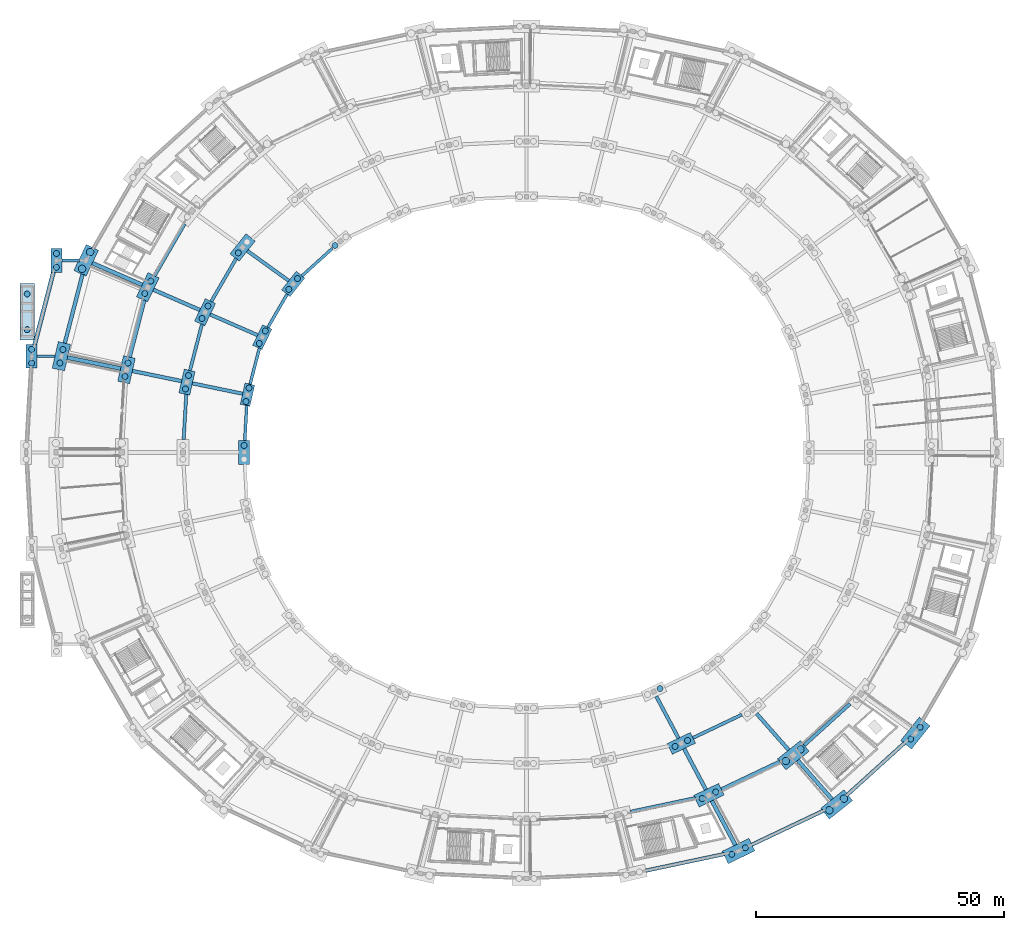
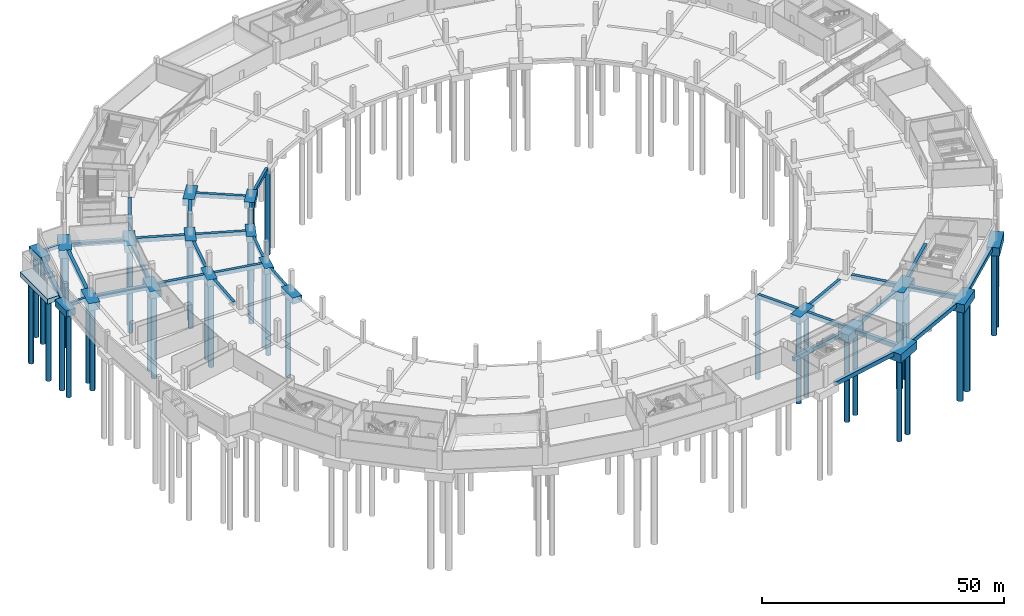
# One storey, part 3 of 49: 52 footings, 40 piles.
"""IFC4 building model written with IfcOpenShell, lengths in metres."""

from ifc_helpers import new_model, si_unit, direction, frame, origin, origin_2d, place, context, subcontext, project, spatial, rectangle, circle, extrude, material, material_profile, profile_set, type_object, element, save


model = new_model("IFC4")

# Units and contexts
model_context = context("Model", 3, precision=1e-05, world=origin(), true_north=direction((0.0, 1.0)))
body_context = subcontext(model_context, "Body", "Model", "MODEL_VIEW")
ifc_project = project(units=[si_unit("LENGTHUNIT", "METRE"), si_unit("AREAUNIT", "SQUARE_METRE"), si_unit("VOLUMEUNIT", "CUBIC_METRE"), si_unit("PLANEANGLEUNIT", "RADIAN"), si_unit("MASSUNIT", "GRAM", prefix="KILO")], contexts=[model_context])

# Site, building, storey
site_placement = place(None, origin())
site = spatial("IfcSite", under=ifc_project, at=site_placement, CompositionType="ELEMENT")
building_placement = place(site_placement, origin())
building = spatial("IfcBuilding", under=site, at=building_placement, Name="Kazemori Nagisa Stadium", CompositionType="ELEMENT")
storey_placement = place(building_placement, frame((0.0, 0.0, -5.43994140625)))
storey = spatial("IfcBuildingStorey", under=building, at=storey_placement, Name="B1", CompositionType="ELEMENT", Elevation=-5.43994140625)

# Footings
ifc_material_1 = material(Name="Concrete C40/50 (Fc42)", Category="concrete")
ifc_material_profile_1 = material_profile(ifc_material_1, rectangle(XDim=0.60009765625, YDim=0.89990234375, at=origin_2d()), Name="RC-FB-600x900")
ifc_profile_set_1 = profile_set([ifc_material_profile_1], Name="Concrete C40/50 (Fc42)")
footing_type_1 = type_object("IfcFootingType", Name="FootingBeam_FB-01", PredefinedType="FOOTING_BEAM", material=ifc_profile_set_1)
footing_1_placement = place(storey_placement, frame((83.824951171875, 143.17236328125, -0.449951171875), z_axis=(-0.741344256171, -0.671124946521, 0.0), x_axis=(0.671124946521, -0.741344256171, 0.0)))
element("IfcFooting", 1, at=footing_1_placement, inside=storey, type_object=footing_type_1, Name="Footing tie beam FB-01 R0-11", PredefinedType="FOOTING_BEAM", context=body_context, shape_type="SweptSolid", body=[
    extrude(rectangle(XDim=0.60009765625, YDim=0.89990234375, at=origin_2d()), origin(), (0.0, 0.0, 1.0), 8.30615234375),
])
footing_2_placement = place(storey_placement, frame((74.708984375, 133.941650390625, -0.449951171875), z_axis=(-0.501616011375, -0.865090386683, 0.0), x_axis=(0.865090386683, -0.501616011375, 0.0)))
element("IfcFooting", 2, at=footing_2_placement, inside=storey, type_object=footing_type_1, Name="Footing tie beam FB-01 R0-12", PredefinedType="FOOTING_BEAM", context=body_context, shape_type="SweptSolid", body=[
    extrude(rectangle(XDim=0.60009765625, YDim=0.89990234375, at=origin_2d()), origin(), (0.0, 0.0, 1.0), 7.767333984375),
])
footing_3_placement = place(storey_placement, frame((69.09912109375, 123.0419921875, -0.449951171875), z_axis=(-0.249957428729, -0.968256827408, 0.0), x_axis=(0.968256827408, -0.249957428729, 0.0)))
element("IfcFooting", 3, at=footing_3_placement, inside=storey, type_object=footing_type_1, Name="Footing tie beam FB-01 R0-13", PredefinedType="FOOTING_BEAM", context=body_context, shape_type="SweptSolid", body=[
    extrude(rectangle(XDim=0.60009765625, YDim=0.89990234375, at=origin_2d()), origin(), (0.0, 0.0, 1.0), 7.531494140625),
])
footing_4_placement = place(storey_placement, frame((66.5458984375, 111.462158203125, -0.449951171875), z_axis=(-0.057578734925, -0.998340968449, 0.0), x_axis=(0.998340968449, -0.057578734925, 0.0)))
element("IfcFooting", 4, at=footing_4_placement, inside=storey, type_object=footing_type_1, Name="Footing tie beam FB-01 R0-14", PredefinedType="FOOTING_BEAM", context=body_context, shape_type="SweptSolid", body=[
    extrude(rectangle(XDim=0.60009765625, YDim=0.89990234375, at=origin_2d()), origin(), (0.0, 0.0, 1.0), 7.097900390625),
])
ifc_material_profile_2 = material_profile(ifc_material_1, rectangle(XDim=0.64990234375, YDim=0.949951171875, at=origin_2d()), Name="RC-FB-650x950")
ifc_profile_set_2 = profile_set([ifc_material_profile_2], Name="Concrete C40/50 (Fc42)")
footing_type_2 = type_object("IfcFootingType", Name="FootingBeam_FB-02", PredefinedType="FOOTING_BEAM", material=ifc_profile_set_2)
footing_5_placement = place(storey_placement, frame((64.404296875, 141.135498046875, -0.47509765625), z_axis=(-0.501622568571, -0.865086584511, 0.0), x_axis=(0.865086584511, -0.501622568571, 0.0)))
element("IfcFooting", 5, at=footing_5_placement, inside=storey, type_object=footing_type_2, Name="Footing tie beam FB-02 R1-12", PredefinedType="FOOTING_BEAM", context=body_context, shape_type="SweptSolid", body=[
    extrude(rectangle(XDim=0.64990234375, YDim=0.949951171875, at=origin_2d()), origin(), (0.0, 0.0, 1.0), 10.06005859375),
])
footing_6_placement = place(storey_placement, frame((57.494140625, 127.885986328125, -0.47509765625), z_axis=(-0.249964211951, -0.968255076281, 0.0), x_axis=(0.968255076281, -0.249964211951, 0.0)))
element("IfcFooting", 6, at=footing_6_placement, inside=storey, type_object=footing_type_2, Name="Footing tie beam FB-02 R1-13", PredefinedType="FOOTING_BEAM", context=body_context, shape_type="SweptSolid", body=[
    extrude(rectangle(XDim=0.64990234375, YDim=0.949951171875, at=origin_2d()), origin(), (0.0, 0.0, 1.0), 9.68017578125),
])
footing_7_placement = place(storey_placement, frame((54.3271484375, 113.734375, -0.47509765625), z_axis=(-0.057615918119, -0.998338823236, 0.0), x_axis=(0.998338823236, -0.057615918119, 0.0)))
element("IfcFooting", 7, at=footing_7_placement, inside=storey, type_object=footing_type_2, Name="Footing tie beam FB-02 R1-14", PredefinedType="FOOTING_BEAM", context=body_context, shape_type="SweptSolid", body=[
    extrude(rectangle(XDim=0.64990234375, YDim=0.949951171875, at=origin_2d()), origin(), (0.0, 0.0, 1.0), 9.173828125),
])
footing_8_placement = place(storey_placement, frame((156.57763671875, 44.368408203125, -0.47509765625), z_axis=(0.903220400465, 0.429177012647, 0.0), x_axis=(-0.429177012647, 0.903220400465, 0.0)))
element("IfcFooting", 8, at=footing_8_placement, inside=storey, type_object=footing_type_2, Name="Footing tie beam FB-02 R1-24", PredefinedType="FOOTING_BEAM", context=body_context, shape_type="SweptSolid", body=[
    extrude(rectangle(XDim=0.64990234375, YDim=0.949951171875, at=origin_2d()), origin(), (0.0, 0.0, 1.0), 10.9375),
])
ifc_material_profile_3 = material_profile(ifc_material_1, rectangle(XDim=0.699951171875, YDim=1.0, at=origin_2d()), Name="RC-FB-700x1000")
ifc_profile_set_3 = profile_set([ifc_material_profile_3], Name="Concrete C40/50 (Fc42)")
footing_type_3 = type_object("IfcFootingType", Name="FootingBeam_FB-03", PredefinedType="FOOTING_BEAM", material=ifc_profile_set_3)
footing_9_placement = place(storey_placement, frame((53.999267578125, 148.15625, -0.5), z_axis=(-0.501613459817, -0.86509186618, 0.0), x_axis=(0.86509186618, -0.501613459817, 0.0)))
element("IfcFooting", 9, at=footing_9_placement, inside=storey, type_object=footing_type_3, Name="Footing tie beam FB-03 R2-12", PredefinedType="FOOTING_BEAM", context=body_context, shape_type="SweptSolid", body=[
    extrude(rectangle(XDim=0.699951171875, YDim=1.0, at=origin_2d()), origin(), (0.0, 0.0, 1.0), 12.152587890625),
])
footing_10_placement = place(storey_placement, frame((45.88916015625, 132.729736328125, -0.5), z_axis=(-0.249971260419, -0.968253256625, 0.0), x_axis=(0.968253256625, -0.249971260419, 0.0)))
element("IfcFooting", 10, at=footing_10_placement, inside=storey, type_object=footing_type_3, Name="Footing tie beam FB-03 R2-13", PredefinedType="FOOTING_BEAM", context=body_context, shape_type="SweptSolid", body=[
    extrude(rectangle(XDim=0.699951171875, YDim=1.0, at=origin_2d()), origin(), (0.0, 0.0, 1.0), 11.87841796875),
])
footing_11_placement = place(storey_placement, frame((144.000732421875, 29.45556640625, -0.5), z_axis=(0.978343522038, 0.206987808543, 0.0), x_axis=(-0.206987808543, 0.978343522038, 0.0)))
element("IfcFooting", 11, at=footing_11_placement, inside=storey, type_object=footing_type_3, Name="Footing tie beam FB-03 R2-23", PredefinedType="FOOTING_BEAM", context=body_context, shape_type="SweptSolid", body=[
    extrude(rectangle(XDim=0.699951171875, YDim=1.0, at=origin_2d()), origin(), (0.0, 0.0, 1.0), 13.38134765625),
])
footing_12_placement = place(storey_placement, frame((162.322998046875, 33.993896484375, -0.5), z_axis=(0.903213685764, 0.429191143722, 0.0), x_axis=(-0.429191143722, 0.903213685764, 0.0)))
element("IfcFooting", 12, at=footing_12_placement, inside=storey, type_object=footing_type_3, Name="Footing tie beam FB-03 R2-24", PredefinedType="FOOTING_BEAM", context=body_context, shape_type="SweptSolid", body=[
    extrude(rectangle(XDim=0.699951171875, YDim=1.0, at=origin_2d()), origin(), (0.0, 0.0, 1.0), 13.086181640625),
])
footing_13_placement = place(storey_placement, frame((179.04345703125, 42.88916015625, -0.5), z_axis=(0.741353641267, 0.671114579323, 0.0), x_axis=(-0.671114579323, 0.741353641267, 0.0)))
element("IfcFooting", 13, at=footing_13_placement, inside=storey, type_object=footing_type_3, Name="Footing tie beam FB-03 R2-25", PredefinedType="FOOTING_BEAM", context=body_context, shape_type="SweptSolid", body=[
    extrude(rectangle(XDim=0.699951171875, YDim=1.0, at=origin_2d()), origin(), (0.0, 0.0, 1.0), 12.481689453125),
])
footing_14_placement = place(storey_placement, frame((75.027099609375, 136.6328125, -0.5), z_axis=(-0.810796424483, 0.585328248119, 0.0), x_axis=(-0.585328248119, -0.810796424483, 0.0)))
element("IfcFooting", 14, at=footing_14_placement, inside=storey, type_object=footing_type_3, Name="Footing tie beam FB-03 R0-R1-12", PredefinedType="FOOTING_BEAM", context=body_context, shape_type="SweptSolid", body=[
    extrude(rectangle(XDim=0.699951171875, YDim=1.0, at=origin_2d()), origin(), (0.0, 0.0, 1.0), 10.32568359375),
])
footing_15_placement = place(storey_placement, frame((68.724853515625, 125.661376953125, -0.5), z_axis=(-0.916674230134, 0.399635278483, 0.0), x_axis=(-0.399635278483, -0.916674230134, 0.0)))
element("IfcFooting", 15, at=footing_15_placement, inside=storey, type_object=footing_type_3, Name="Footing tie beam FB-03 R0-R1-13", PredefinedType="FOOTING_BEAM", context=body_context, shape_type="SweptSolid", body=[
    extrude(rectangle(XDim=0.699951171875, YDim=1.0, at=origin_2d()), origin(), (0.0, 0.0, 1.0), 10.4453125),
])
footing_16_placement = place(storey_placement, frame((65.711669921875, 113.8369140625, -0.5), z_axis=(-0.979313019238, 0.20235120546, 0.0), x_axis=(-0.20235120546, -0.979313019238, 0.0)))
element("IfcFooting", 16, at=footing_16_placement, inside=storey, type_object=footing_type_3, Name="Footing tie beam FB-03 R0-R1-14", PredefinedType="FOOTING_BEAM", context=body_context, shape_type="SweptSolid", body=[
    extrude(rectangle(XDim=0.699951171875, YDim=1.0, at=origin_2d()), origin(), (0.0, 0.0, 1.0), 10.377197265625),
])
footing_17_placement = place(storey_placement, frame((149.18994140625, 52.76806640625, -0.5), z_axis=(0.469670822848, -0.88284161556, 0.0), x_axis=(0.88284161556, 0.469670822848, 0.0)))
element("IfcFooting", 17, at=footing_17_placement, inside=storey, type_object=footing_type_3, Name="Footing tie beam FB-03 R0-R1-24", PredefinedType="FOOTING_BEAM", context=body_context, shape_type="SweptSolid", body=[
    extrude(rectangle(XDim=0.699951171875, YDim=1.0, at=origin_2d()), origin(), (0.0, 0.0, 1.0), 9.58837890625),
])
ifc_material_profile_4 = material_profile(ifc_material_1, rectangle(XDim=0.75, YDim=1.050048828125, at=origin_2d()), Name="RC-FB-750x1050")
ifc_profile_set_4 = profile_set([ifc_material_profile_4], Name="Concrete C40/50 (Fc42)")
footing_type_4 = type_object("IfcFootingType", Name="FootingBeam_FB-04", PredefinedType="FOOTING_BEAM", material=ifc_profile_set_4)
footing_18_placement = place(storey_placement, frame((33.395263671875, 137.9609375, -0.525146484375), z_axis=(-0.249976629928, -0.968251870378, 0.0), x_axis=(0.968251870378, -0.249976629928, 0.0)))
element("IfcFooting", 18, at=footing_18_placement, inside=storey, type_object=footing_type_4, Name="Footing tie beam FB-04 R3-13", PredefinedType="FOOTING_BEAM", context=body_context, shape_type="SweptSolid", body=[
    extrude(rectangle(XDim=0.75, YDim=1.050048828125, at=origin_2d()), origin(), (0.0, 0.0, 1.0), 14.37646484375),
])
footing_19_placement = place(storey_placement, frame((147.0986328125, 17.578125, -0.525146484375), z_axis=(0.978343223735, 0.206989218491, 0.0), x_axis=(-0.206989218491, 0.978343223735, 0.0)))
element("IfcFooting", 19, at=footing_19_placement, inside=storey, type_object=footing_type_4, Name="Footing tie beam FB-04 R3-23", PredefinedType="FOOTING_BEAM", context=body_context, shape_type="SweptSolid", body=[
    extrude(rectangle(XDim=0.75, YDim=1.050048828125, at=origin_2d()), origin(), (0.0, 0.0, 1.0), 16.14013671875),
])
footing_20_placement = place(storey_placement, frame((168.496337890625, 22.814697265625, -0.525146484375), z_axis=(0.903214630343, 0.42918915589, 0.0), x_axis=(-0.42918915589, 0.903214630343, 0.0)))
element("IfcFooting", 20, at=footing_20_placement, inside=storey, type_object=footing_type_4, Name="Footing tie beam FB-04 R3-24", PredefinedType="FOOTING_BEAM", context=body_context, shape_type="SweptSolid", body=[
    extrude(rectangle(XDim=0.75, YDim=1.050048828125, at=origin_2d()), origin(), (0.0, 0.0, 1.0), 15.954345703125),
])
footing_21_placement = place(storey_placement, frame((187.80712890625, 32.94091796875, -0.525146484375), z_axis=(0.741348232984, 0.671120553591, 0.0), x_axis=(-0.671120553591, 0.741348232984, 0.0)))
element("IfcFooting", 21, at=footing_21_placement, inside=storey, type_object=footing_type_4, Name="Footing tie beam FB-04 R3-25", PredefinedType="FOOTING_BEAM", context=body_context, shape_type="SweptSolid", body=[
    extrude(rectangle(XDim=0.75, YDim=1.050048828125, at=origin_2d()), origin(), (0.0, 0.0, 1.0), 15.48388671875),
])
footing_22_placement = place(storey_placement, frame((57.078125, 130.73876953125, -0.525146484375), z_axis=(-0.916679401648, 0.399623415973, 0.0), x_axis=(-0.399623415973, -0.916679401648, 0.0)))
element("IfcFooting", 22, at=footing_22_placement, inside=storey, type_object=footing_type_4, Name="Footing tie beam FB-04 R1-R2-13", PredefinedType="FOOTING_BEAM", context=body_context, shape_type="SweptSolid", body=[
    extrude(rectangle(XDim=0.75, YDim=1.050048828125, at=origin_2d()), origin(), (0.0, 0.0, 1.0), 10.245361328125),
])
footing_23_placement = place(storey_placement, frame((53.384765625, 116.3837890625, -0.525146484375), z_axis=(-0.979310240973, 0.20236465088, 0.0), x_axis=(-0.20236465088, -0.979310240973, 0.0)))
element("IfcFooting", 23, at=footing_23_placement, inside=storey, type_object=footing_type_4, Name="Footing tie beam FB-04 R1-R2-14", PredefinedType="FOOTING_BEAM", context=body_context, shape_type="SweptSolid", body=[
    extrude(rectangle(XDim=0.75, YDim=1.050048828125, at=origin_2d()), origin(), (0.0, 0.0, 1.0), 10.152099609375),
])
footing_24_placement = place(storey_placement, frame((154.8017578125, 42.21923828125, -0.525146484375), z_axis=(0.469653943971, -0.882850594898, 0.0), x_axis=(0.882850594898, 0.469653943971, 0.0)))
element("IfcFooting", 24, at=footing_24_placement, inside=storey, type_object=footing_type_4, Name="Footing tie beam FB-04 R1-R2-24", PredefinedType="FOOTING_BEAM", context=body_context, shape_type="SweptSolid", body=[
    extrude(rectangle(XDim=0.75, YDim=1.050048828125, at=origin_2d()), origin(), (0.0, 0.0, 1.0), 9.38818359375),
])
footing_25_placement = place(storey_placement, frame((169.443359375, 49.279052734375, -0.525146484375), z_axis=(0.661031544867, -0.750358112297, 0.0), x_axis=(0.750358112297, 0.661031544867, 0.0)))
element("IfcFooting", 25, at=footing_25_placement, inside=storey, type_object=footing_type_4, Name="Footing tie beam FB-04 R1-R2-25", PredefinedType="FOOTING_BEAM", context=body_context, shape_type="SweptSolid", body=[
    extrude(rectangle(XDim=0.75, YDim=1.050048828125, at=origin_2d()), origin(), (0.0, 0.0, 1.0), 9.801025390625),
])
ifc_material_profile_5 = material_profile(ifc_material_1, rectangle(XDim=0.800048828125, YDim=1.10009765625, at=origin_2d()), Name="RC-FB-800x1100")
ifc_profile_set_5 = profile_set([ifc_material_profile_5], Name="Concrete C40/50 (Fc42)")
footing_type_5 = type_object("IfcFootingType", Name="FootingBeam_FB-05", PredefinedType="FOOTING_BEAM", material=ifc_profile_set_5)
footing_26_placement = place(storey_placement, frame((45.431396484375, 135.816162109375, -0.550048828125), z_axis=(-0.916678645987, 0.399625149347, 0.0), x_axis=(-0.399625149347, -0.916678645987, 0.0)))
element("IfcFooting", 26, at=footing_26_placement, inside=storey, type_object=footing_type_5, Name="Footing tie beam FB-05 R2-R3-13", PredefinedType="FOOTING_BEAM", context=body_context, shape_type="SweptSolid", body=[
    extrude(rectangle(XDim=0.800048828125, YDim=1.10009765625, at=origin_2d()), origin(), (0.0, 0.0, 1.0), 10.989990234375),
])
footing_27_placement = place(storey_placement, frame((41.08251953125, 118.92578125, -0.550048828125), z_axis=(-0.979312654266, 0.202352971798, 0.0), x_axis=(-0.202352971798, -0.979312654266, 0.0)))
element("IfcFooting", 27, at=footing_27_placement, inside=storey, type_object=footing_type_5, Name="Footing tie beam FB-05 R2-R3-14", PredefinedType="FOOTING_BEAM", context=body_context, shape_type="SweptSolid", body=[
    extrude(rectangle(XDim=0.800048828125, YDim=1.10009765625, at=origin_2d()), origin(), (0.0, 0.0, 1.0), 10.961181640625),
])
footing_28_placement = place(storey_placement, frame((160.413330078125, 31.670654296875, -0.550048828125), z_axis=(0.469639432071, -0.882858314705, 0.0), x_axis=(0.882858314705, 0.469639432071, 0.0)))
element("IfcFooting", 28, at=footing_28_placement, inside=storey, type_object=footing_type_5, Name="Footing tie beam FB-05 R2-R3-24", PredefinedType="FOOTING_BEAM", context=body_context, shape_type="SweptSolid", body=[
    extrude(rectangle(XDim=0.800048828125, YDim=1.10009765625, at=origin_2d()), origin(), (0.0, 0.0, 1.0), 10.099609375),
])
footing_29_placement = place(storey_placement, frame((177.74658203125, 39.853759765625, -0.550048828125), z_axis=(0.661018384003, -0.750369706218, 0.0), x_axis=(0.750369706218, 0.661018384003, 0.0)))
element("IfcFooting", 29, at=footing_29_placement, inside=storey, type_object=footing_type_5, Name="Footing tie beam FB-05 R2-R3-25", PredefinedType="FOOTING_BEAM", context=body_context, shape_type="SweptSolid", body=[
    extrude(rectangle(XDim=0.800048828125, YDim=1.10009765625, at=origin_2d()), origin(), (0.0, 0.0, 1.0), 10.497802734375),
])
ifc_material_profile_6 = material_profile(ifc_material_1, rectangle(XDim=0.550048828125, YDim=0.85009765625, at=origin_2d()), Name="RC-FB-550x850")
ifc_profile_set_6 = profile_set([ifc_material_profile_6], Name="Concrete C40/50 (Fc42)")
footing_type_6 = type_object("IfcFootingType", Name="FootingBeam_FB-06", PredefinedType="FOOTING_BEAM", material=ifc_profile_set_6)
footing_30_placement = place(storey_placement, frame((32.760009765625, 140.74951171875, -0.425048828125), z_axis=(-1.0, 0.0, 0.0), x_axis=(0.0, -1.0, 0.0)))
element("IfcFooting", 30, at=footing_30_placement, inside=storey, type_object=footing_type_6, Name="Footing tie beam FB-06 R3-R4-13", PredefinedType="FOOTING_BEAM", context=body_context, shape_type="SweptSolid", body=[
    extrude(rectangle(XDim=0.550048828125, YDim=0.85009765625, at=origin_2d()), origin(), (0.0, 0.0, 1.0), 3.56494140625),
])
footing_31_placement = place(storey_placement, frame((27.8642578125, 121.397705078125, -0.425048828125), z_axis=(-1.0, 0.0, 0.0), x_axis=(0.0, -1.0, 0.0)))
element("IfcFooting", 31, at=footing_31_placement, inside=storey, type_object=footing_type_6, Name="Footing tie beam FB-06 R3-R4-14", PredefinedType="FOOTING_BEAM", context=body_context, shape_type="SweptSolid", body=[
    extrude(rectangle(XDim=0.550048828125, YDim=0.85009765625, at=origin_2d()), origin(), (0.0, 0.0, 1.0), 3.6650390625),
])
ifc_material_profile_7 = material_profile(ifc_material_1, rectangle(XDim=0.85009765625, YDim=1.14990234375, at=origin_2d()), Name="RC-FB-850x1150")
ifc_profile_set_7 = profile_set([ifc_material_profile_7], Name="Concrete C40/50 (Fc42)")
footing_type_7 = type_object("IfcFootingType", Name="FootingBeam_FB-07", PredefinedType="FOOTING_BEAM", material=ifc_profile_set_7)
footing_32_placement = place(storey_placement, frame((27.520263671875, 138.445068359375, -0.574951171875), z_axis=(-0.24997209517, -0.968253041119, 0.0), x_axis=(0.968253041119, -0.24997209517, 0.0)))
element("IfcFooting", 32, at=footing_32_placement, inside=storey, type_object=footing_type_7, Name="Footing tie beam FB-07 R4-13", PredefinedType="FOOTING_BEAM", context=body_context, shape_type="SweptSolid", body=[
    extrude(rectangle(XDim=0.85009765625, YDim=1.14990234375, at=origin_2d()), origin(), (0.0, 0.0, 1.0), 15.226318359375),
])
footing_type_8 = type_object("IfcFootingType", Name="PileCap_PC-01", PredefinedType="PILE_CAP", material=ifc_material_1)
footing_33_placement = place(storey_placement, frame((69.6689453125, 125.249755859375, -1.5), z_axis=(0.0, 0.0, 1.0), x_axis=(-0.433883739113, -0.900968867905, 0.0)))
element("IfcFooting", 33, at=footing_33_placement, inside=storey, type_object=footing_type_8, Name="Pile cap PC-01 R0-13", PredefinedType="PILE_CAP", context=body_context, shape_type="SweptSolid", body=[
    extrude(rectangle(XDim=4.60009765625, YDim=2.10009765625, at=origin_2d()), origin(), (0.0, 0.0, 1.0), 1.5),
])
footing_type_9 = type_object("IfcFootingType", Name="PileCap_PC-02", PredefinedType="PILE_CAP", material=ifc_material_1)
for number, where, z_axis, x_axis, name in (
    (34, (75.90283203125, 136.00048828125, -1.60009765625), (0.0, 0.0, 1.0), (-0.623489801853, -0.781831482473, 0.0), "Pile cap PC-02 R0-12"),
    (35, (66.0, 102.0, -1.60009765625), (0.0, 0.0, 1.0), (0.0, -1.0, 0.0), "Pile cap PC-02 R0-15"),
    (36, (28.114990234375, 140.74951171875, -1.60009765625), (0.0, 0.0, 1.0), (0.0, 1.0, 0.0), "Pile cap PC-02 R4-13"),
    (37, (23.119140625, 121.397705078125, -1.60009765625), (0.0, 0.0, 1.0), (0.0, 1.0, 0.0), "Pile cap PC-02 R4-14"),
):
    element("IfcFooting", number, at=place(storey_placement, frame(where, z_axis=z_axis, x_axis=x_axis)), inside=storey, type_object=footing_type_9, Name=name, PredefinedType="PILE_CAP", context=body_context, shape_type="SweptSolid", body=[
        extrude(rectangle(XDim=4.800048828125, YDim=2.199951171875, at=origin_2d()), origin(), (0.0, 0.0, 1.0), 1.60009765625),
    ])
footing_type_10 = type_object("IfcFootingType", Name="PileCap_PC-03", PredefinedType="PILE_CAP", material=ifc_material_1)
footing_34_placement = place(storey_placement, frame((58.114013671875, 130.287109375, -1.64990234375), z_axis=(0.0, 0.0, 1.0), x_axis=(-0.433883739113, -0.900968867905, 0.0)))
element("IfcFooting", 38, at=footing_34_placement, inside=storey, type_object=footing_type_10, Name="Pile cap PC-03 R1-13", PredefinedType="PILE_CAP", context=body_context, shape_type="SweptSolid", body=[
    extrude(rectangle(XDim=5.0, YDim=2.300048828125, at=origin_2d()), origin(), (0.0, 0.0, 1.0), 1.64990234375),
])
footing_type_11 = type_object("IfcFootingType", Name="PileCap_PC-04", PredefinedType="PILE_CAP", material=ifc_material_1)
for number, where, z_axis, x_axis, name in (
    (39, (65.698486328125, 143.367431640625, -1.75), (0.0, 0.0, 1.0), (-0.623489801853, -0.781831482473, 0.0), "Pile cap PC-04 R1-12"),
    (40, (154.24755859375, 43.260986328125, -1.75), (0.0, 0.0, 1.0), (0.900968867905, 0.433883739113, 0.0), "Pile cap PC-04 R1-24"),
):
    element("IfcFooting", number, at=place(storey_placement, frame(where, z_axis=z_axis, x_axis=x_axis)), inside=storey, type_object=footing_type_11, Name=name, PredefinedType="PILE_CAP", context=body_context, shape_type="SweptSolid", body=[
        extrude(rectangle(XDim=5.199951171875, YDim=2.39990234375, at=origin_2d()), origin(), (0.0, 0.0, 1.0), 1.75),
    ])
footing_type_12 = type_object("IfcFootingType", Name="PileCap_PC-05", PredefinedType="PILE_CAP", material=ifc_material_1)
footing_35_placement = place(storey_placement, frame((46.55908203125, 135.32470703125, -1.85009765625), z_axis=(0.0, 0.0, 1.0), x_axis=(-0.433883739113, -0.900968867905, 0.0)))
element("IfcFooting", 41, at=footing_35_placement, inside=storey, type_object=footing_type_12, Name="Pile cap PC-05 R2-13", PredefinedType="PILE_CAP", context=body_context, shape_type="SweptSolid", body=[
    extrude(rectangle(XDim=5.39990234375, YDim=2.5, at=origin_2d()), origin(), (0.0, 0.0, 1.0), 1.85009765625),
])
footing_type_13 = type_object("IfcFootingType", Name="PileCap_PC-06", PredefinedType="PILE_CAP", material=ifc_material_1)
footing_36_placement = place(storey_placement, frame((159.81201171875, 32.80078125, -1.9501953125), z_axis=(0.0, 0.0, 1.0), x_axis=(0.900968867905, 0.433883739113, 0.0)))
element("IfcFooting", 42, at=footing_36_placement, inside=storey, type_object=footing_type_13, Name="Pile cap PC-06 R2-24", PredefinedType="PILE_CAP", context=body_context, shape_type="SweptSolid", body=[
    extrude(rectangle(XDim=5.60009765625, YDim=2.60009765625, at=origin_2d()), origin(), (0.0, 0.0, 1.0), 1.949951171875),
])
footing_type_14 = type_object("IfcFootingType", Name="PileCap_PC-07", PredefinedType="PILE_CAP", material=ifc_material_1)
footing_37_placement = place(storey_placement, frame((34.114990234375, 140.74951171875, -2.05029296875), z_axis=(0.0, 0.0, 1.0), x_axis=(-0.433883739113, -0.900968867905, 0.0)))
element("IfcFooting", 43, at=footing_37_placement, inside=storey, type_object=footing_type_14, Name="Pile cap PC-07 R3-13", PredefinedType="PILE_CAP", context=body_context, shape_type="SweptSolid", body=[
    extrude(rectangle(XDim=5.800048828125, YDim=2.75, at=origin_2d()), origin(), (0.0, 0.0, 1.0), 2.050048828125),
])
footing_type_15 = type_object("IfcFootingType", Name="PileCap_PC-08", PredefinedType="PILE_CAP", material=ifc_material_1)
footing_38_placement = place(storey_placement, frame((66.671630859375, 113.638671875, -1.4501953125), z_axis=(0.0, 0.0, 1.0), x_axis=(-0.222520933954, -0.974927912182, 0.0)))
element("IfcFooting", 44, at=footing_38_placement, inside=storey, type_object=footing_type_15, Name="Pile cap PC-08 R0-14", PredefinedType="PILE_CAP", context=body_context, shape_type="SweptSolid", body=[
    extrude(rectangle(XDim=4.39990234375, YDim=2.0, at=origin_2d()), origin(), (0.0, 0.0, 1.0), 1.449951171875),
])
footing_type_16 = type_object("IfcFootingType", Name="PileCap_PC-09", PredefinedType="PILE_CAP", material=ifc_material_1)
footing_39_placement = place(storey_placement, frame((54.467041015625, 116.160400390625, -1.7001953125), z_axis=(0.0, 0.0, 1.0), x_axis=(-0.222520933954, -0.974927912182, 0.0)))
element("IfcFooting", 45, at=footing_39_placement, inside=storey, type_object=footing_type_16, Name="Pile cap PC-09 R1-14", PredefinedType="PILE_CAP", context=body_context, shape_type="SweptSolid", body=[
    extrude(rectangle(XDim=4.89990234375, YDim=2.25, at=origin_2d()), origin(), (0.0, 0.0, 1.0), 1.699951171875),
])
footing_type_17 = type_object("IfcFootingType", Name="PileCap_PC-10", PredefinedType="PILE_CAP", material=ifc_material_1)
footing_40_placement = place(storey_placement, frame((42.262451171875, 118.68212890625, -1.80029296875), z_axis=(0.0, 0.0, 1.0), x_axis=(-0.222520933954, -0.974927912182, 0.0)))
element("IfcFooting", 46, at=footing_40_placement, inside=storey, type_object=footing_type_17, Name="Pile cap PC-10 R2-14", PredefinedType="PILE_CAP", context=body_context, shape_type="SweptSolid", body=[
    extrude(rectangle(XDim=5.300048828125, YDim=2.449951171875, at=origin_2d()), origin(), (0.0, 0.0, 1.0), 1.800048828125),
])
footing_type_18 = type_object("IfcFootingType", Name="PileCap_PC-11", PredefinedType="PILE_CAP", material=ifc_material_1)
footing_41_placement = place(storey_placement, frame((29.119140625, 121.397705078125, -1.89990234375), z_axis=(0.0, 0.0, 1.0), x_axis=(-0.222520933954, -0.974927912182, 0.0)))
element("IfcFooting", 47, at=footing_41_placement, inside=storey, type_object=footing_type_18, Name="Pile cap PC-11 R3-14", PredefinedType="PILE_CAP", context=body_context, shape_type="SweptSolid", body=[
    extrude(rectangle(XDim=5.5, YDim=2.550048828125, at=origin_2d()), origin(), (0.0, 0.0, 1.0), 1.89990234375),
])
footing_type_19 = type_object("IfcFootingType", Name="PileCap_PC-12", PredefinedType="PILE_CAP", material=ifc_material_1)
for number, where, z_axis, x_axis, name in (
    (48, (176.834228515625, 40.88916015625, -2.10009765625), (0.0, 0.0, 1.0), (0.781831482473, 0.623489801853, 0.0), "Pile cap PC-12 R2-25"),
    (49, (165.8046875, 21.53564453125, -2.10009765625), (0.0, 0.0, 1.0), (0.900968867905, 0.433883739113, 0.0), "Pile cap PC-12 R3-24"),
    (50, (185.597900390625, 30.94091796875, -2.10009765625), (0.0, 0.0, 1.0), (0.781831482473, 0.623489801853, 0.0), "Pile cap PC-12 R3-25"),
    (51, (201.495361328125, 45.332275390625, -2.10009765625), (0.0, 0.0, 1.0), (0.623489801853, 0.781831482473, 0.0), "Pile cap PC-12 R3-26"),
):
    element("IfcFooting", number, at=place(storey_placement, frame(where, z_axis=z_axis, x_axis=x_axis)), inside=storey, type_object=footing_type_19, Name=name, PredefinedType="PILE_CAP", context=body_context, shape_type="SweptSolid", body=[
        extrude(rectangle(XDim=6.0, YDim=2.800048828125, at=origin_2d()), origin(), (0.0, 0.0, 1.0), 2.10009765625),
    ])
footing_type_20 = type_object("IfcFootingType", Name="PileCap_PC-13", PredefinedType="PILE_CAP", material=ifc_material_1)
footing_42_placement = place(storey_placement, frame((22.217041015625, 130.37353515625, -1.25), z_axis=(0.0, 0.0, 1.0), x_axis=(0.0, 1.0, 0.0)))
element("IfcFooting", 52, at=footing_42_placement, inside=storey, type_object=footing_type_20, Name="Pile cap PC-13 RP1", PredefinedType="PILE_CAP", context=body_context, shape_type="SweptSolid", body=[
    extrude(rectangle(XDim=11.39990234375, YDim=2.89990234375, at=origin_2d()), origin(), (0.0, 0.0, 1.0), 1.25),
])

# Piles
ifc_material_2 = material(Name="Concrete C36/45 (Fc36)", Category="concrete")
ifc_material_profile_8 = material_profile(ifc_material_2, circle(Radius=0.60009765625, at=origin_2d()), Name="PILE-D1200")
ifc_profile_set_8 = profile_set([ifc_material_profile_8], Name="Concrete C36/45 (Fc36)")
pile_type_1 = type_object("IfcPileType", Name="Pile_PL-1200", PredefinedType="BORED", material=ifc_profile_set_8)
for number, where, z_axis, x_axis, name in (
    (53, (84.3466796875, 143.762451171875, -1.35009765625), (0.0, 0.0, -1.0), (1.0, 0.0, 0.0), "Bored pile PL-1200 R0-11-2"),
    (54, (76.775634765625, 137.09521484375, -1.5), (0.0, 0.0, -1.0), (1.0, 0.0, 0.0), "Bored pile PL-1200 R0-12-1"),
    (55, (75.02978515625, 134.906005859375, -1.5), (0.0, 0.0, -1.0), (1.0, 0.0, 0.0), "Bored pile PL-1200 R0-12-2"),
    (56, (70.2763671875, 126.510986328125, -1.400146484375), (0.0, 0.0, -1.0), (1.0, 0.0, 0.0), "Bored pile PL-1200 R0-13-1"),
    (57, (69.0615234375, 123.98828125, -1.400146484375), (0.0, 0.0, -1.0), (1.0, 0.0, 0.0), "Bored pile PL-1200 R0-13-2"),
    (58, (66.983154296875, 115.00341796875, -1.35009765625), (0.0, 0.0, -1.0), (1.0, 0.0, 0.0), "Bored pile PL-1200 R0-14-1"),
    (59, (66.360107421875, 112.273681640625, -1.35009765625), (0.0, 0.0, -1.0), (1.0, 0.0, 0.0), "Bored pile PL-1200 R0-14-2"),
    (60, (66.0, 103.39990234375, -1.5), (0.0, 0.0, -1.0), (1.0, 0.0, 0.0), "Bored pile PL-1200 R0-15-1"),
    (61, (149.944091796875, 54.328857421875, -1.5), (0.0, 0.0, -1.0), (1.0, 0.0, 0.0), "Bored pile PL-1200 R0-24-2"),
    (62, (64.825439453125, 142.272705078125, -1.650146484375), (0.0, 0.0, -1.0), (1.0, 0.0, 0.0), "Bored pile PL-1200 R1-12-2"),
    (63, (58.721435546875, 131.548583984375, -1.550048828125), (0.0, 0.0, -1.0), (1.0, 0.0, 0.0), "Bored pile PL-1200 R1-13-1"),
    (64, (57.506591796875, 129.02587890625, -1.550048828125), (0.0, 0.0, -1.0), (1.0, 0.0, 0.0), "Bored pile PL-1200 R1-13-2"),
    (65, (54.778564453125, 117.525146484375, -1.60009765625), (0.0, 0.0, -1.0), (1.0, 0.0, 0.0), "Bored pile PL-1200 R1-14-1"),
    (66, (54.155517578125, 114.79541015625, -1.60009765625), (0.0, 0.0, -1.0), (1.0, 0.0, 0.0), "Bored pile PL-1200 R1-14-2"),
    (67, (152.986083984375, 42.653564453125, -1.650146484375), (0.0, 0.0, -1.0), (1.0, 0.0, 0.0), "Bored pile PL-1200 R1-24-1"),
    (68, (155.5087890625, 43.86865234375, -1.650146484375), (0.0, 0.0, -1.0), (1.0, 0.0, 0.0), "Bored pile PL-1200 R1-24-2"),
    (69, (47.16650390625, 136.5859375, -1.75), (0.0, 0.0, -1.0), (1.0, 0.0, 0.0), "Bored pile PL-1200 R2-13-1"),
    (70, (45.951416015625, 134.063232421875, -1.75), (0.0, 0.0, -1.0), (1.0, 0.0, 0.0), "Bored pile PL-1200 R2-13-2"),
    (71, (42.573974609375, 120.046875, -1.699951171875), (0.0, 0.0, -1.0), (1.0, 0.0, 0.0), "Bored pile PL-1200 R2-14-1"),
    (72, (41.950927734375, 117.317138671875, -1.699951171875), (0.0, 0.0, -1.0), (1.0, 0.0, 0.0), "Bored pile PL-1200 R2-14-2"),
    (73, (158.442626953125, 32.141357421875, -1.85009765625), (0.0, 0.0, -1.0), (1.0, 0.0, 0.0), "Bored pile PL-1200 R2-24-1"),
    (74, (161.181640625, 33.460205078125, -1.85009765625), (0.0, 0.0, -1.0), (1.0, 0.0, 0.0), "Bored pile PL-1200 R2-24-2"),
    (75, (29.4306640625, 122.7626953125, -1.800048828125), (0.0, 0.0, -1.0), (1.0, 0.0, 0.0), "Bored pile PL-1200 R3-14-1"),
    (76, (28.8076171875, 120.03271484375, -1.800048828125), (0.0, 0.0, -1.0), (1.0, 0.0, 0.0), "Bored pile PL-1200 R3-14-2"),
    (77, (164.435302734375, 20.876220703125, -2.0), (0.0, 0.0, -1.0), (1.0, 0.0, 0.0), "Bored pile PL-1200 R3-24-1"),
    (78, (167.17431640625, 22.1953125, -2.0), (0.0, 0.0, -1.0), (1.0, 0.0, 0.0), "Bored pile PL-1200 R3-24-2"),
    (79, (200.547607421875, 44.14404296875, -2.0), (0.0, 0.0, -1.0), (1.0, 0.0, 0.0), "Bored pile PL-1200 R3-26-1"),
    (80, (202.443115234375, 46.520751953125, -2.0), (0.0, 0.0, -1.0), (1.0, 0.0, 0.0), "Bored pile PL-1200 R3-26-2"),
    (81, (28.114990234375, 139.349609375, -1.5), (0.0, 0.0, -1.0), (1.0, 0.0, 0.0), "Bored pile PL-1200 R4-13-1"),
    (82, (28.114990234375, 142.149658203125, -1.5), (0.0, 0.0, -1.0), (1.0, 0.0, 0.0), "Bored pile PL-1200 R4-13-2"),
    (83, (23.119140625, 119.997802734375, -1.5), (0.0, 0.0, -1.0), (1.0, 0.0, 0.0), "Bored pile PL-1200 R4-14-1"),
    (84, (23.119140625, 122.797607421875, -1.5), (0.0, 0.0, -1.0), (1.0, 0.0, 0.0), "Bored pile PL-1200 R4-14-2"),
    (85, (22.217041015625, 126.773681640625, -1.150146484375), (0.0, 0.0, -1.0), (1.0, 0.0, 0.0), "Bored pile PL-1200 RP1-1"),
    (86, (22.217041015625, 133.9736328125, -1.150146484375), (0.0, 0.0, -1.0), (1.0, 0.0, 0.0), "Bored pile PL-1200 RP1-2"),
):
    element("IfcPile", number, at=place(storey_placement, frame(where, z_axis=z_axis, x_axis=x_axis)), inside=storey, type_object=pile_type_1, Name=name, PredefinedType="BORED", context=body_context, shape_type="SweptSolid", body=[
        extrude(circle(Radius=0.60009765625, at=origin_2d()), origin(), (0.0, 0.0, 1.0), 21.0),
    ])
ifc_material_profile_9 = material_profile(ifc_material_2, circle(Radius=0.75, at=origin_2d()), Name="PILE-D1500")
ifc_profile_set_9 = profile_set([ifc_material_profile_9], Name="Concrete C36/45 (Fc36)")
pile_type_2 = type_object("IfcPileType", Name="Pile_PL-1500", PredefinedType="BORED", material=ifc_profile_set_9)
for number, where, z_axis, x_axis, name in (
    (87, (175.364501953125, 39.717041015625, -2.0), (0.0, 0.0, -1.0), (1.0, 0.0, 0.0), "Bored pile PL-1500 R2-25-1"),
    (88, (178.30419921875, 42.0615234375, -2.0), (0.0, 0.0, -1.0), (1.0, 0.0, 0.0), "Bored pile PL-1500 R2-25-2"),
    (89, (34.9306640625, 142.443359375, -1.949951171875), (0.0, 0.0, -1.0), (1.0, 0.0, 0.0), "Bored pile PL-1500 R3-13-1"),
    (90, (33.29931640625, 139.0556640625, -1.949951171875), (0.0, 0.0, -1.0), (1.0, 0.0, 0.0), "Bored pile PL-1500 R3-13-2"),
    (91, (184.128173828125, 29.768798828125, -2.0), (0.0, 0.0, -1.0), (1.0, 0.0, 0.0), "Bored pile PL-1500 R3-25-1"),
    (92, (187.06787109375, 32.11328125, -2.0), (0.0, 0.0, -1.0), (1.0, 0.0, 0.0), "Bored pile PL-1500 R3-25-2"),
):
    element("IfcPile", number, at=place(storey_placement, frame(where, z_axis=z_axis, x_axis=x_axis)), inside=storey, type_object=pile_type_2, Name=name, PredefinedType="BORED", context=body_context, shape_type="SweptSolid", body=[
        extrude(circle(Radius=0.75, at=origin_2d()), origin(), (0.0, 0.0, 1.0), 23.0),
    ])

save(model, "model.ifc")
